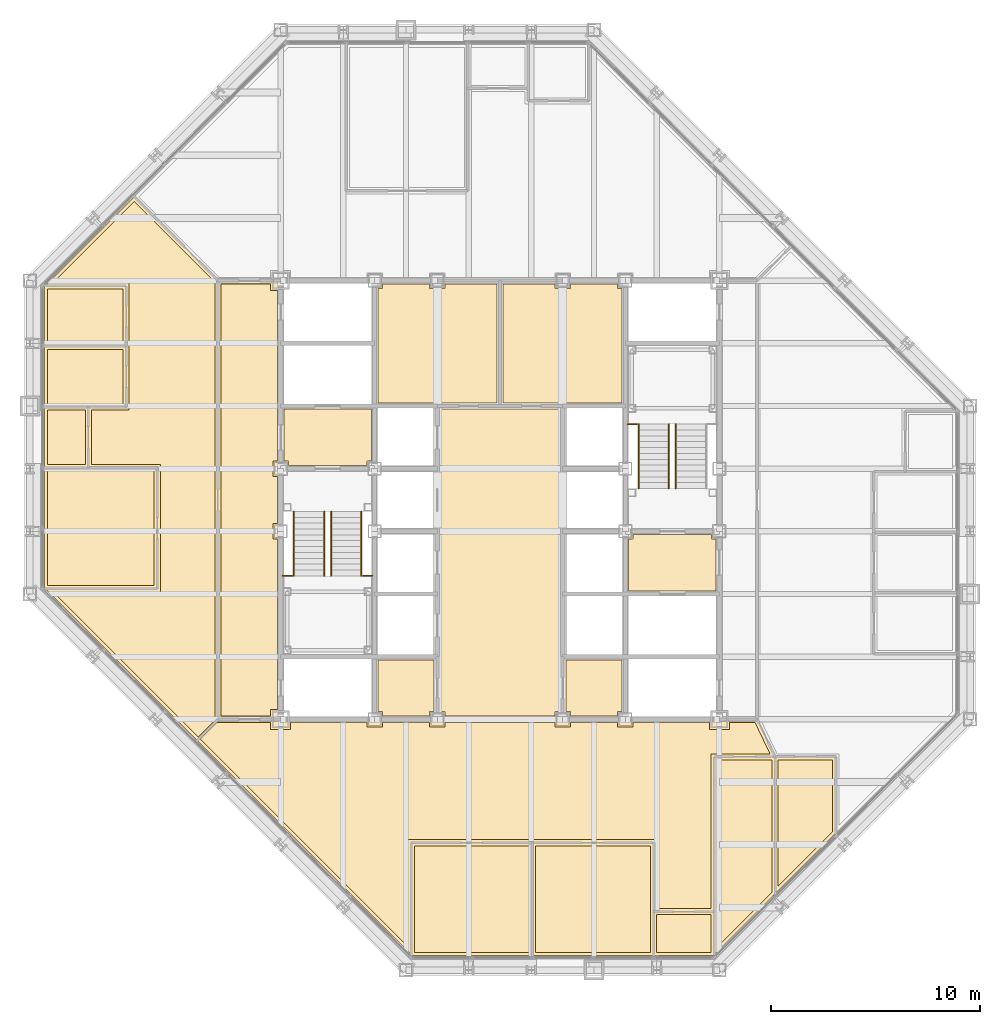
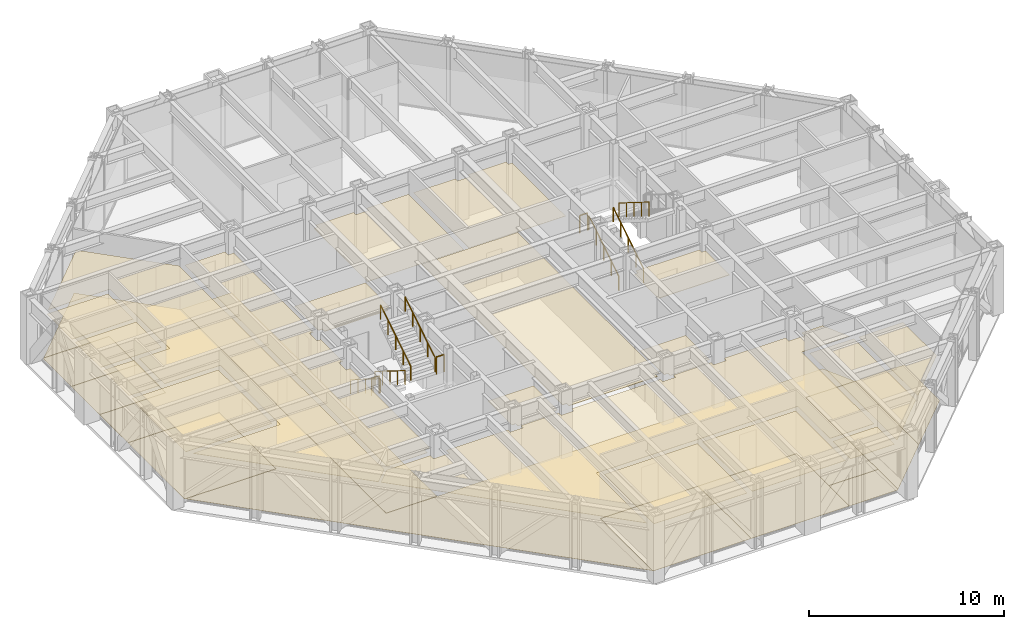
# One storey, part 15 of 16: 30 coverings, 10 railings.
"""IFC4 building model written with IfcOpenShell, lengths in metres."""

from ifc_helpers import new_model, si_unit, direction, frame, origin, origin_2d, place, context, subcontext, project, spatial, polyline, circle, outline, extrude, material, layer, layer_set, type_object, element, save


model = new_model("IFC4")

# Units and contexts
model_context = context("Model", 3, precision=1e-05, world=origin(), true_north=direction((0.0, 1.0)))
body_context = subcontext(model_context, "Body", "Model", "MODEL_VIEW")
ifc_project = project(units=[si_unit("LENGTHUNIT", "METRE"), si_unit("AREAUNIT", "SQUARE_METRE"), si_unit("VOLUMEUNIT", "CUBIC_METRE"), si_unit("PLANEANGLEUNIT", "RADIAN"), si_unit("MASSUNIT", "GRAM", prefix="KILO")], contexts=[model_context])

# Site, building, storey
site_placement = place(None, origin())
site = spatial("IfcSite", under=ifc_project, at=site_placement, CompositionType="ELEMENT")
building_placement = place(site_placement, origin())
building = spatial("IfcBuilding", under=site, at=building_placement, Name="Chuquiago Exchange Tower", CompositionType="ELEMENT")
storey_placement = place(building_placement, frame((0.0, 0.0, 209.699951171875)))
storey = spatial("IfcBuildingStorey", under=building, at=storey_placement, Name="L46", CompositionType="ELEMENT", Elevation=209.699951171875)

# Coverings
ifc_material_1 = material(Name="Mineral fibre tile, 600 x 600, on pale metal grid", Category="mineral fibre")
ifc_layer_1 = layer(ifc_material_1, 0.02001953125)
ifc_layer_set_1 = layer_set([ifc_layer_1], Name="CL1 suspended tile ceiling 20")
covering_type_1 = type_object("IfcCoveringType", Name="CL1 suspended tile ceiling 20", PredefinedType="CEILING", material=ifc_layer_set_1)
covering_1_placement = place(storey_placement, frame((0.0, 0.0, 2.800048828125)))
element("IfcCovering", 1, at=covering_1_placement, inside=storey, type_object=covering_type_1, Name="Ceiling Listing office", PredefinedType="CEILING", context=body_context, shape_type="SweptSolid", body=[
    extrude(outline(polyline([(18.3984375, 5.949951171875), (23.899658203125, 5.949951171875), (23.899658203125, 0.85009765625), (18.3984375, 0.85009765625), (18.3984375, 5.949951171875)])), origin(), (0.0, 0.0, 1.0), 0.02001953125),
])
covering_2_placement = place(storey_placement, frame((0.0, 0.0, 2.800048828125)))
element("IfcCovering", 2, at=covering_2_placement, inside=storey, type_object=covering_type_1, Name="Ceiling Listing office", PredefinedType="CEILING", context=body_context, shape_type="SweptSolid", body=[
    extrude(outline(polyline([(24.19970703125, 5.949951171875), (29.700927734375, 5.949951171875), (29.700927734375, 0.85009765625), (24.19970703125, 0.85009765625), (24.19970703125, 5.949951171875)])), origin(), (0.0, 0.0, 1.0), 0.02001953125),
])
covering_3_placement = place(storey_placement, frame((0.0, 0.0, 2.800048828125)))
element("IfcCovering", 3, at=covering_3_placement, inside=storey, type_object=covering_type_1, Name="Ceiling Focus room", PredefinedType="CEILING", context=body_context, shape_type="SweptSolid", body=[
    extrude(outline(polyline([(30.0009765625, 0.85009765625), (30.0009765625, 2.64990234375), (32.6015625, 2.64990234375), (32.6015625, 0.85009765625), (30.0009765625, 0.85009765625)])), origin(), (0.0, 0.0, 1.0), 0.02001953125),
])
covering_4_placement = place(storey_placement, frame((0.0, 0.0, 2.800048828125)))
element("IfcCovering", 4, at=covering_4_placement, inside=storey, type_object=covering_type_1, Name="Ceiling Office", PredefinedType="CEILING", context=body_context, shape_type="SweptSolid", body=[
    extrude(outline(polyline([(32.901611328125, 10.050048828125), (35.513671875, 10.050048828125), (35.513671875, 3.715576171875), (32.901611328125, 1.103515625), (32.901611328125, 10.050048828125)])), origin(), (0.0, 0.0, 1.0), 0.02001953125),
])
covering_5_placement = place(storey_placement, frame((0.0, 0.0, 2.800048828125)))
element("IfcCovering", 5, at=covering_5_placement, inside=storey, type_object=covering_type_1, Name="Ceiling Office", PredefinedType="CEILING", context=body_context, shape_type="SweptSolid", body=[
    extrude(outline(polyline([(35.813720703125, 10.050048828125), (38.42578125, 10.050048828125), (38.42578125, 6.627685546875), (35.813720703125, 4.015625), (35.813720703125, 10.050048828125)])), origin(), (0.0, 0.0, 1.0), 0.02001953125),
])
covering_6_placement = place(storey_placement, frame((0.0, 0.0, 2.800048828125)))
element("IfcCovering", 6, at=covering_6_placement, inside=storey, type_object=covering_type_1, Name="Ceiling Listing office", PredefinedType="CEILING", context=body_context, shape_type="SweptSolid", body=[
    extrude(outline(polyline([(0.85009765625, 23.899658203125), (5.949951171875, 23.899658203125), (5.949951171875, 18.3984375), (0.85009765625, 18.3984375), (0.85009765625, 23.899658203125)])), origin(), (0.0, 0.0, 1.0), 0.02001953125),
])
covering_7_placement = place(storey_placement, frame((0.0, 0.0, 2.800048828125)))
element("IfcCovering", 7, at=covering_7_placement, inside=storey, type_object=covering_type_1, Name="Ceiling Focus room", PredefinedType="CEILING", context=body_context, shape_type="SweptSolid", body=[
    extrude(outline(polyline([(2.64990234375, 26.80029296875), (2.64990234375, 24.19970703125), (0.85009765625, 24.19970703125), (0.85009765625, 26.80029296875), (2.64990234375, 26.80029296875)])), origin(), (0.0, 0.0, 1.0), 0.02001953125),
])
covering_8_placement = place(storey_placement, frame((0.0, 0.0, 2.800048828125)))
element("IfcCovering", 8, at=covering_8_placement, inside=storey, type_object=covering_type_1, Name="Ceiling Office", PredefinedType="CEILING", context=body_context, shape_type="SweptSolid", body=[
    extrude(outline(polyline([(4.449951171875, 29.700927734375), (4.449951171875, 27.100341796875), (0.85009765625, 27.100341796875), (0.85009765625, 29.700927734375), (4.449951171875, 29.700927734375)])), origin(), (0.0, 0.0, 1.0), 0.02001953125),
])
covering_9_placement = place(storey_placement, frame((0.0, 0.0, 2.800048828125)))
element("IfcCovering", 9, at=covering_9_placement, inside=storey, type_object=covering_type_1, Name="Ceiling Office", PredefinedType="CEILING", context=body_context, shape_type="SweptSolid", body=[
    extrude(outline(polyline([(4.449951171875, 32.6015625), (4.449951171875, 30.0009765625), (0.85009765625, 30.0009765625), (0.85009765625, 32.6015625), (4.449951171875, 32.6015625)])), origin(), (0.0, 0.0, 1.0), 0.02001953125),
])
covering_10_placement = place(storey_placement, frame((0.0, 0.0, 2.800048828125)))
element("IfcCovering", 10, at=covering_10_placement, inside=storey, type_object=covering_type_1, Name="Ceiling Circulation corridor", PredefinedType="CEILING", context=body_context, shape_type="SweptSolid", body=[
    extrude(outline(polyline([(9.14990234375, 12.14990234375), (9.14990234375, 32.85009765625), (11.52490234375, 32.85009765625), (11.52490234375, 32.52490234375), (11.85009765625, 32.52490234375), (11.85009765625, 24.375), (11.625, 24.375), (11.625, 23.625), (11.85009765625, 23.625), (11.85009765625, 21.375), (11.625, 21.375), (11.625, 20.625), (11.85009765625, 20.625), (11.85009765625, 12.47509765625), (11.52490234375, 12.47509765625), (11.52490234375, 12.14990234375), (9.14990234375, 12.14990234375)])), origin(), (0.0, 0.0, 1.0), 0.02001953125),
])
covering_11_placement = place(storey_placement, frame((0.0, 0.0, 2.800048828125)))
element("IfcCovering", 11, at=covering_11_placement, inside=storey, type_object=covering_type_1, Name="Ceiling Open office south", PredefinedType="CEILING", context=body_context, shape_type="SweptSolid", body=[
    extrude(outline(polyline([(32.6015625, 2.949951171875), (30.0009765625, 2.949951171875), (30.0009765625, 6.25), (18.098388671875, 6.25), (18.098388671875, 1.103515625), (8.150390625, 11.051513671875), (8.948974609375, 11.85009765625), (11.52490234375, 11.85009765625), (11.52490234375, 11.52490234375), (12.47509765625, 11.52490234375), (12.47509765625, 11.85009765625), (16.125, 11.85009765625), (16.125, 11.625), (16.875, 11.625), (16.875, 11.85009765625), (19.125, 11.85009765625), (19.125, 11.625), (19.875, 11.625), (19.875, 11.85009765625), (25.125, 11.85009765625), (25.125, 11.625), (25.875, 11.625), (25.875, 11.85009765625), (28.125, 11.85009765625), (28.125, 11.625), (28.875, 11.625), (28.875, 11.85009765625), (32.52490234375, 11.85009765625), (32.52490234375, 11.52490234375), (33.47509765625, 11.52490234375), (33.47509765625, 11.85009765625), (34.705078125, 11.85009765625), (35.4248046875, 10.35009765625), (32.6015625, 10.35009765625), (32.6015625, 2.949951171875)])), origin(), (0.0, 0.0, 1.0), 0.02001953125),
])
covering_12_placement = place(storey_placement, frame((0.0, 0.0, 2.800048828125)))
element("IfcCovering", 12, at=covering_12_placement, inside=storey, type_object=covering_type_1, Name="Ceiling Open office south", PredefinedType="CEILING", context=body_context, shape_type="SweptSolid", body=[
    extrude(outline(polyline([(1.103515625, 18.098388671875), (6.25, 18.098388671875), (6.25, 24.19970703125), (2.949951171875, 24.19970703125), (2.949951171875, 26.80029296875), (4.75, 26.80029296875), (4.75, 32.901611328125), (1.103515625, 32.901611328125), (4.99462890625, 36.79248046875), (8.85009765625, 32.9375), (8.85009765625, 11.948974609375), (8.051513671875, 11.150390625), (1.103515625, 18.098388671875)])), origin(), (0.0, 0.0, 1.0), 0.02001953125),
])
ifc_material_2 = material(Name="Moisture resistant plasterboard on metal frame", Category="gypsum")
ifc_layer_2 = layer(ifc_material_2, 0.014892578125)
ifc_layer_set_2 = layer_set([ifc_layer_2], Name="CL2 moisture resistant ceiling 15")
covering_type_2 = type_object("IfcCoveringType", Name="CL2 moisture resistant ceiling 15", PredefinedType="CEILING", material=ifc_layer_set_2)
covering_13_placement = place(storey_placement, frame((0.0, 0.0, 2.60009765625)))
element("IfcCovering", 13, at=covering_13_placement, inside=storey, type_object=covering_type_2, Name="Ceiling Male WC", PredefinedType="CEILING", context=body_context, shape_type="SweptSolid", body=[
    extrude(outline(polyline([(16.64990234375, 27.14990234375), (16.64990234375, 32.625), (16.875, 32.625), (16.875, 32.85009765625), (19.125, 32.85009765625), (19.125, 32.625), (19.875, 32.625), (19.875, 32.85009765625), (22.35009765625, 32.85009765625), (22.35009765625, 27.14990234375), (16.64990234375, 27.14990234375)])), origin(), (0.0, 0.0, 1.0), 0.014892578125),
])
covering_14_placement = place(storey_placement, frame((0.0, 0.0, 2.60009765625)))
element("IfcCovering", 14, at=covering_14_placement, inside=storey, type_object=covering_type_2, Name="Ceiling Female WC", PredefinedType="CEILING", context=body_context, shape_type="SweptSolid", body=[
    extrude(outline(polyline([(22.64990234375, 27.14990234375), (22.64990234375, 32.85009765625), (25.125, 32.85009765625), (25.125, 32.625), (25.875, 32.625), (25.875, 32.85009765625), (28.125, 32.85009765625), (28.125, 32.625), (28.35009765625, 32.625), (28.35009765625, 27.14990234375), (22.64990234375, 27.14990234375)])), origin(), (0.0, 0.0, 1.0), 0.014892578125),
])
covering_15_placement = place(storey_placement, frame((0.0, 0.0, 2.60009765625)))
element("IfcCovering", 15, at=covering_15_placement, inside=storey, type_object=covering_type_2, Name="Ceiling Accessible WC", PredefinedType="CEILING", context=body_context, shape_type="SweptSolid", body=[
    extrude(outline(polyline([(25.875, 12.14990234375), (25.875, 12.375), (25.64990234375, 12.375), (25.64990234375, 14.85009765625), (28.35009765625, 14.85009765625), (28.35009765625, 12.375), (28.125, 12.375), (28.125, 12.14990234375), (25.875, 12.14990234375)])), origin(), (0.0, 0.0, 1.0), 0.014892578125),
])
covering_16_placement = place(storey_placement, frame((0.0, 0.0, 2.60009765625)))
element("IfcCovering", 16, at=covering_16_placement, inside=storey, type_object=covering_type_2, Name="Ceiling Cleaner", PredefinedType="CEILING", context=body_context, shape_type="SweptSolid", body=[
    extrude(outline(polyline([(16.875, 12.14990234375), (16.875, 12.375), (16.64990234375, 12.375), (16.64990234375, 14.85009765625), (19.35009765625, 14.85009765625), (19.35009765625, 12.375), (19.125, 12.375), (19.125, 12.14990234375), (16.875, 12.14990234375)])), origin(), (0.0, 0.0, 1.0), 0.014892578125),
])
ifc_material_3 = material(Name="Pale metal plank ceiling, perforated", Category="aluminium")
ifc_layer_3 = layer(ifc_material_3, 0.030029296875)
ifc_layer_set_3 = layer_set([ifc_layer_3], Name="CL3 metal plank ceiling 30")
covering_type_3 = type_object("IfcCoveringType", Name="CL3 metal plank ceiling 30", PredefinedType="CEILING", material=ifc_layer_set_3)
covering_17_placement = place(storey_placement, frame((0.0, 0.0, 2.800048828125)))
element("IfcCovering", 17, at=covering_17_placement, inside=storey, type_object=covering_type_3, Name="Ceiling Lift lobby", PredefinedType="CEILING", context=body_context, shape_type="SweptSolid", body=[
    extrude(outline(polyline([(19.875, 12.14990234375), (19.875, 12.375), (19.64990234375, 12.375), (19.64990234375, 26.85009765625), (25.35009765625, 26.85009765625), (25.35009765625, 12.375), (25.125, 12.375), (25.125, 12.14990234375), (19.875, 12.14990234375)])), origin(), (0.0, 0.0, 1.0), 0.030029296875),
])
covering_18_placement = place(storey_placement, frame((0.0, 0.0, 2.800048828125)))
element("IfcCovering", 18, at=covering_18_placement, inside=storey, type_object=covering_type_3, Name="Ceiling Firefighting lobby", PredefinedType="CEILING", context=body_context, shape_type="SweptSolid", body=[
    extrude(outline(polyline([(12.375, 24.14990234375), (12.375, 24.375), (12.14990234375, 24.375), (12.14990234375, 26.85009765625), (16.35009765625, 26.85009765625), (16.35009765625, 24.375), (16.125, 24.375), (16.125, 24.14990234375), (12.375, 24.14990234375)])), origin(), (0.0, 0.0, 1.0), 0.030029296875),
])
covering_19_placement = place(storey_placement, frame((0.0, 0.0, 2.800048828125)))
element("IfcCovering", 19, at=covering_19_placement, inside=storey, type_object=covering_type_3, Name="Ceiling Firefighting lobby", PredefinedType="CEILING", context=body_context, shape_type="SweptSolid", body=[
    extrude(outline(polyline([(28.64990234375, 18.14990234375), (28.64990234375, 20.625), (28.875, 20.625), (28.875, 20.85009765625), (32.625, 20.85009765625), (32.625, 20.625), (32.85009765625, 20.625), (32.85009765625, 18.14990234375), (28.64990234375, 18.14990234375)])), origin(), (0.0, 0.0, 1.0), 0.030029296875),
])
ifc_material_4 = material(Name="Carpet tile, 500 x 500, on the floor slab", Category="textile")
ifc_layer_4 = layer(ifc_material_4, 0.010009765625)
ifc_layer_set_4 = layer_set([ifc_layer_4], Name="FL1 carpet tile 10")
covering_type_4 = type_object("IfcCoveringType", Name="FL1 carpet tile 10", PredefinedType="FLOORING", material=ifc_layer_set_4)
covering_20_placement = place(storey_placement, origin())
element("IfcCovering", 20, at=covering_20_placement, inside=storey, type_object=covering_type_4, Name="Floor finish Listing office", PredefinedType="FLOORING", context=body_context, shape_type="SweptSolid", body=[
    extrude(outline(polyline([(18.289794921875, 0.699951171875), (18.24853515625, 0.741455078125), (18.24853515625, 6.10009765625), (24.0498046875, 6.10009765625), (24.0498046875, 0.699951171875), (18.289794921875, 0.699951171875)])), origin(), (0.0, 0.0, 1.0), 0.010009765625),
])
covering_21_placement = place(storey_placement, origin())
element("IfcCovering", 21, at=covering_21_placement, inside=storey, type_object=covering_type_4, Name="Floor finish Listing office", PredefinedType="FLOORING", context=body_context, shape_type="SweptSolid", body=[
    extrude(outline(polyline([(24.0498046875, 0.699951171875), (24.0498046875, 6.10009765625), (29.850830078125, 6.10009765625), (29.850830078125, 0.699951171875), (24.0498046875, 0.699951171875)])), origin(), (0.0, 0.0, 1.0), 0.010009765625),
])
covering_22_placement = place(storey_placement, origin())
element("IfcCovering", 22, at=covering_22_placement, inside=storey, type_object=covering_type_4, Name="Floor finish Focus room", PredefinedType="FLOORING", context=body_context, shape_type="SweptSolid", body=[
    extrude(outline(polyline([(32.710205078125, 0.699951171875), (29.850830078125, 0.699951171875), (29.850830078125, 2.800048828125), (32.75146484375, 2.800048828125), (32.75146484375, 0.741455078125), (32.710205078125, 0.699951171875)])), origin(), (0.0, 0.0, 1.0), 0.010009765625),
])
covering_23_placement = place(storey_placement, origin())
element("IfcCovering", 23, at=covering_23_placement, inside=storey, type_object=covering_type_4, Name="Floor finish Office", PredefinedType="FLOORING", context=body_context, shape_type="SweptSolid", body=[
    extrude(outline(polyline([(32.75146484375, 0.741455078125), (32.75146484375, 10.199951171875), (35.66357421875, 10.199951171875), (35.66357421875, 3.653564453125), (32.75146484375, 0.741455078125)])), origin(), (0.0, 0.0, 1.0), 0.010009765625),
])
covering_24_placement = place(storey_placement, origin())
element("IfcCovering", 24, at=covering_24_placement, inside=storey, type_object=covering_type_4, Name="Floor finish Office", PredefinedType="FLOORING", context=body_context, shape_type="SweptSolid", body=[
    extrude(outline(polyline([(35.66357421875, 3.653564453125), (35.66357421875, 10.199951171875), (38.57568359375, 10.199951171875), (38.57568359375, 6.565673828125), (35.66357421875, 3.653564453125)])), origin(), (0.0, 0.0, 1.0), 0.010009765625),
])
covering_25_placement = place(storey_placement, origin())
element("IfcCovering", 25, at=covering_25_placement, inside=storey, type_object=covering_type_4, Name="Floor finish Listing office", PredefinedType="FLOORING", context=body_context, shape_type="SweptSolid", body=[
    extrude(outline(polyline([(0.699951171875, 24.0498046875), (6.10009765625, 24.0498046875), (6.10009765625, 18.24853515625), (0.741455078125, 18.24853515625), (0.699951171875, 18.289794921875), (0.699951171875, 24.0498046875)])), origin(), (0.0, 0.0, 1.0), 0.010009765625),
])
covering_26_placement = place(storey_placement, origin())
element("IfcCovering", 26, at=covering_26_placement, inside=storey, type_object=covering_type_4, Name="Floor finish Focus room", PredefinedType="FLOORING", context=body_context, shape_type="SweptSolid", body=[
    extrude(outline(polyline([(0.699951171875, 26.9501953125), (2.800048828125, 26.9501953125), (2.800048828125, 24.0498046875), (0.699951171875, 24.0498046875), (0.699951171875, 26.9501953125)])), origin(), (0.0, 0.0, 1.0), 0.010009765625),
])
covering_27_placement = place(storey_placement, origin())
element("IfcCovering", 27, at=covering_27_placement, inside=storey, type_object=covering_type_4, Name="Floor finish Office", PredefinedType="FLOORING", context=body_context, shape_type="SweptSolid", body=[
    extrude(outline(polyline([(0.699951171875, 29.850830078125), (4.60009765625, 29.850830078125), (4.60009765625, 26.9501953125), (0.699951171875, 26.9501953125), (0.699951171875, 29.850830078125)])), origin(), (0.0, 0.0, 1.0), 0.010009765625),
])
covering_28_placement = place(storey_placement, origin())
element("IfcCovering", 28, at=covering_28_placement, inside=storey, type_object=covering_type_4, Name="Floor finish Office", PredefinedType="FLOORING", context=body_context, shape_type="SweptSolid", body=[
    extrude(outline(polyline([(0.699951171875, 32.710205078125), (0.741455078125, 32.75146484375), (4.60009765625, 32.75146484375), (4.60009765625, 29.850830078125), (0.699951171875, 29.850830078125), (0.699951171875, 32.710205078125)])), origin(), (0.0, 0.0, 1.0), 0.010009765625),
])
covering_29_placement = place(storey_placement, origin())
element("IfcCovering", 29, at=covering_29_placement, inside=storey, type_object=covering_type_4, Name="Floor finish Open office south", PredefinedType="FLOORING", context=body_context, shape_type="SweptSolid", body=[
    extrude(outline(polyline([(32.75146484375, 10.199951171875), (32.75146484375, 2.800048828125), (29.850830078125, 2.800048828125), (29.850830078125, 6.10009765625), (18.24853515625, 6.10009765625), (18.24853515625, 0.741455078125), (0.741455078125, 18.24853515625), (6.10009765625, 18.24853515625), (6.10009765625, 24.0498046875), (2.800048828125, 24.0498046875), (2.800048828125, 26.9501953125), (4.60009765625, 26.9501953125), (4.60009765625, 32.75146484375), (0.741455078125, 32.75146484375), (4.99462890625, 37.004638671875), (9.0, 32.99951171875), (9.0, 12.0), (34.799560546875, 12.0), (35.6630859375, 10.199951171875), (32.75146484375, 10.199951171875)])), origin(), (0.0, 0.0, 1.0), 0.010009765625),
])
ifc_material_5 = material(Name="Porcelain floor tile, 600 x 600, on adhesive bed", Category="ceramic")
ifc_layer_5 = layer(ifc_material_5, 0.014892578125)
ifc_layer_set_5 = layer_set([ifc_layer_5], Name="FL2 porcelain tile 15")
covering_type_5 = type_object("IfcCoveringType", Name="FL2 porcelain tile 15", PredefinedType="FLOORING", material=ifc_layer_set_5)
covering_30_placement = place(storey_placement, origin())
element("IfcCovering", 30, at=covering_30_placement, inside=storey, type_object=covering_type_5, Name="Floor finish Circulation corridor", PredefinedType="FLOORING", context=body_context, shape_type="SweptSolid", body=[
    extrude(outline(polyline([(12.0, 12.0), (9.0, 12.0), (9.0, 33.0), (12.0, 33.0), (12.0, 12.0)])), origin(), (0.0, 0.0, 1.0), 0.01513671875),
])

# Railings
ifc_material_6 = material(Name="Pale metal guard with safety glass infill", Category="glass")
railing_type_1 = type_object("IfcRailingType", Name="GR1 guard 1100", PredefinedType="GUARDRAIL", material=ifc_material_6)
for number, where, name in (
    (31, (12.10009765625, 18.8701171875, 2.10009765625), "Guard ST1 L46 landing 2"),
    (32, (15.945068359375, 18.8701171875, 2.10009765625), "Guard ST1 L46 landing 2"),
    (33, (28.60009765625, 26.1298828125, 2.10009765625), "Guard ST2 L46 landing 2"),
):
    element("IfcRailing", number, at=place(storey_placement, frame(where)), inside=storey, type_object=railing_type_1, Name=name, PredefinedType="GUARDRAIL", context=body_context, shape_type="SweptSolid", body=[
        extrude(circle(Radius=0.02392578125, at=origin_2d()), frame((0.0, 0.0, 1.076171875), z_axis=(1.0, 0.0, 0.0), x_axis=(0.0, 1.0, 0.0)), (0.0, 0.0, 1.0), 0.454833984375),
        extrude(circle(Radius=0.02099609375, at=origin_2d()), origin(), (0.0, 0.0, 1.0), 1.052001953125),
        extrude(circle(Radius=0.02099609375, at=origin_2d()), frame((0.454833984375, 0.0, 0.0)), (0.0, 0.0, 1.0), 1.052001953125),
    ])
ifc_material_7 = material(Name="Pale metal handrail", Category="steel")
railing_type_2 = type_object("IfcRailingType", Name="HR1 handrail 900", PredefinedType="HANDRAIL", material=ifc_material_7)
for number, where, name in (
    (34, (12.635009765625, 21.949951171875, 0.175048828125), "Handrail ST1 L46 flight 1"),
    (35, (14.0849609375, 21.949951171875, 0.175048828125), "Handrail ST1 L46 flight 1"),
):
    element("IfcRailing", number, at=place(storey_placement, frame(where)), inside=storey, type_object=railing_type_2, Name=name, PredefinedType="HANDRAIL", context=body_context, shape_type="SweptSolid", body=[
        extrude(circle(Radius=0.02392578125, at=origin_2d()), frame((0.0, 0.0, 0.8759765625), z_axis=(0.0, -0.847979421464, 0.530029150871), x_axis=(1.0, 0.0, 0.0)), (0.0, 0.0, 1.0), 3.632080078125),
        extrude(circle(Radius=0.02099609375, at=origin_2d()), origin(), (0.0, 0.0, 1.0), 0.851806640625),
        extrude(circle(Radius=0.02099609375, at=origin_2d()), frame((0.0, -0.77001953125, 0.481201171875)), (0.0, 0.0, 1.0), 0.851806640625),
        extrude(circle(Radius=0.02099609375, at=origin_2d()), frame((0.0, -1.5400390625, 0.96240234375)), (0.0, 0.0, 1.0), 0.851806640625),
        extrude(circle(Radius=0.02099609375, at=origin_2d()), frame((0.0, -2.309814453125, 1.44384765625)), (0.0, 0.0, 1.0), 0.851806640625),
        extrude(circle(Radius=0.02099609375, at=origin_2d()), frame((0.0, -3.079833984375, 1.925048828125)), (0.0, 0.0, 1.0), 0.851806640625),
    ])
for number, where, name in (
    (36, (15.864990234375, 18.8701171875, 2.275146484375), "Handrail ST1 L46 flight 2"),
    (37, (14.4150390625, 18.8701171875, 2.275146484375), "Handrail ST1 L46 flight 2"),
):
    element("IfcRailing", number, at=place(storey_placement, frame(where)), inside=storey, type_object=railing_type_2, Name=name, PredefinedType="HANDRAIL", context=body_context, shape_type="SweptSolid", body=[
        extrude(circle(Radius=0.02392578125, at=origin_2d()), frame((0.0, 0.0, 0.8759765625), z_axis=(0.0, 0.848009633417, 0.529980812513), x_axis=(-1.0, 0.0, 0.0)), (0.0, 0.0, 1.0), 3.6318359375),
        extrude(circle(Radius=0.02099609375, at=origin_2d()), origin(), (0.0, 0.0, 1.0), 0.851806640625),
        extrude(circle(Radius=0.02099609375, at=origin_2d()), frame((0.0, 0.77001953125, 0.481201171875)), (0.0, 0.0, 1.0), 0.851806640625),
        extrude(circle(Radius=0.02099609375, at=origin_2d()), frame((0.0, 1.5400390625, 0.96240234375)), (0.0, 0.0, 1.0), 0.851806640625),
        extrude(circle(Radius=0.02099609375, at=origin_2d()), frame((0.0, 2.309814453125, 1.443603515625)), (0.0, 0.0, 1.0), 0.851806640625),
        extrude(circle(Radius=0.02099609375, at=origin_2d()), frame((0.0, 3.079833984375, 1.9248046875)), (0.0, 0.0, 1.0), 0.851806640625),
    ])
for number, where, name in (
    (38, (30.5849609375, 23.050048828125, 0.175048828125), "Handrail ST2 L46 flight 1"),
    (39, (29.135009765625, 23.050048828125, 0.175048828125), "Handrail ST2 L46 flight 1"),
):
    element("IfcRailing", number, at=place(storey_placement, frame(where)), inside=storey, type_object=railing_type_2, Name=name, PredefinedType="HANDRAIL", context=body_context, shape_type="SweptSolid", body=[
        extrude(circle(Radius=0.02392578125, at=origin_2d()), frame((0.0, 0.0, 0.8759765625), z_axis=(0.0, 0.847979421464, 0.530029150871), x_axis=(-1.0, 0.0, 0.0)), (0.0, 0.0, 1.0), 3.632080078125),
        extrude(circle(Radius=0.02099609375, at=origin_2d()), origin(), (0.0, 0.0, 1.0), 0.851806640625),
        extrude(circle(Radius=0.02099609375, at=origin_2d()), frame((0.0, 0.77001953125, 0.481201171875)), (0.0, 0.0, 1.0), 0.851806640625),
        extrude(circle(Radius=0.02099609375, at=origin_2d()), frame((0.0, 1.5400390625, 0.96240234375)), (0.0, 0.0, 1.0), 0.851806640625),
        extrude(circle(Radius=0.02099609375, at=origin_2d()), frame((0.0, 2.309814453125, 1.44384765625)), (0.0, 0.0, 1.0), 0.851806640625),
        extrude(circle(Radius=0.02099609375, at=origin_2d()), frame((0.0, 3.079833984375, 1.925048828125)), (0.0, 0.0, 1.0), 0.851806640625),
    ])
railing_placement = place(storey_placement, frame((30.9150390625, 26.1298828125, 2.275146484375)))
element("IfcRailing", 40, at=railing_placement, inside=storey, type_object=railing_type_2, Name="Handrail ST2 L46 flight 2", PredefinedType="HANDRAIL", context=body_context, shape_type="SweptSolid", body=[
    extrude(circle(Radius=0.02392578125, at=origin_2d()), frame((0.0, 0.0, 0.8759765625), z_axis=(0.0, -0.848009633417, 0.529980812513), x_axis=(1.0, 0.0, 0.0)), (0.0, 0.0, 1.0), 3.6318359375),
    extrude(circle(Radius=0.02099609375, at=origin_2d()), origin(), (0.0, 0.0, 1.0), 0.851806640625),
    extrude(circle(Radius=0.02099609375, at=origin_2d()), frame((0.0, -0.77001953125, 0.481201171875)), (0.0, 0.0, 1.0), 0.851806640625),
    extrude(circle(Radius=0.02099609375, at=origin_2d()), frame((0.0, -1.5400390625, 0.96240234375)), (0.0, 0.0, 1.0), 0.851806640625),
    extrude(circle(Radius=0.02099609375, at=origin_2d()), frame((0.0, -2.309814453125, 1.443603515625)), (0.0, 0.0, 1.0), 0.851806640625),
    extrude(circle(Radius=0.02099609375, at=origin_2d()), frame((0.0, -3.079833984375, 1.9248046875)), (0.0, 0.0, 1.0), 0.851806640625),
])

save(model, "model.ifc")
